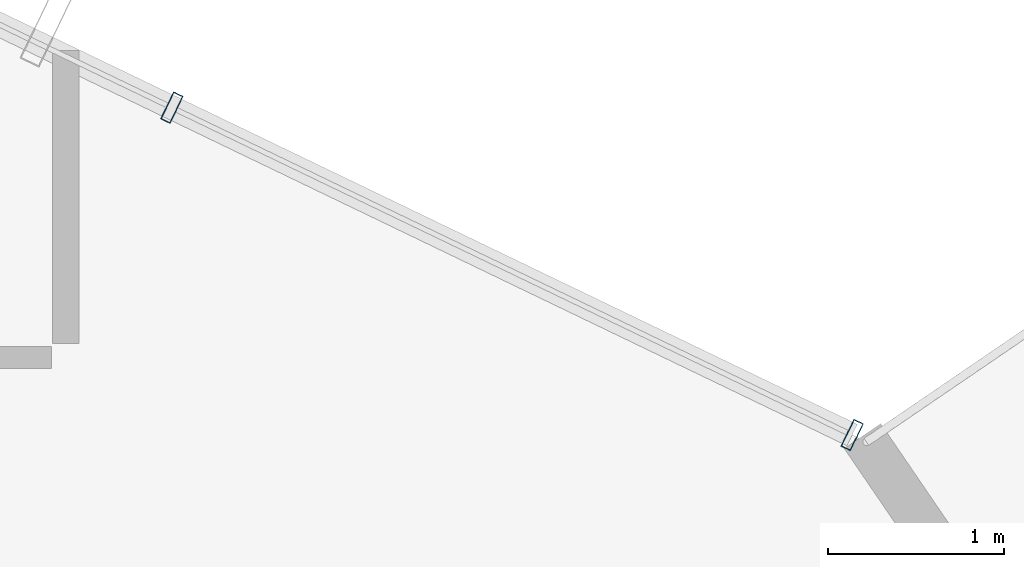
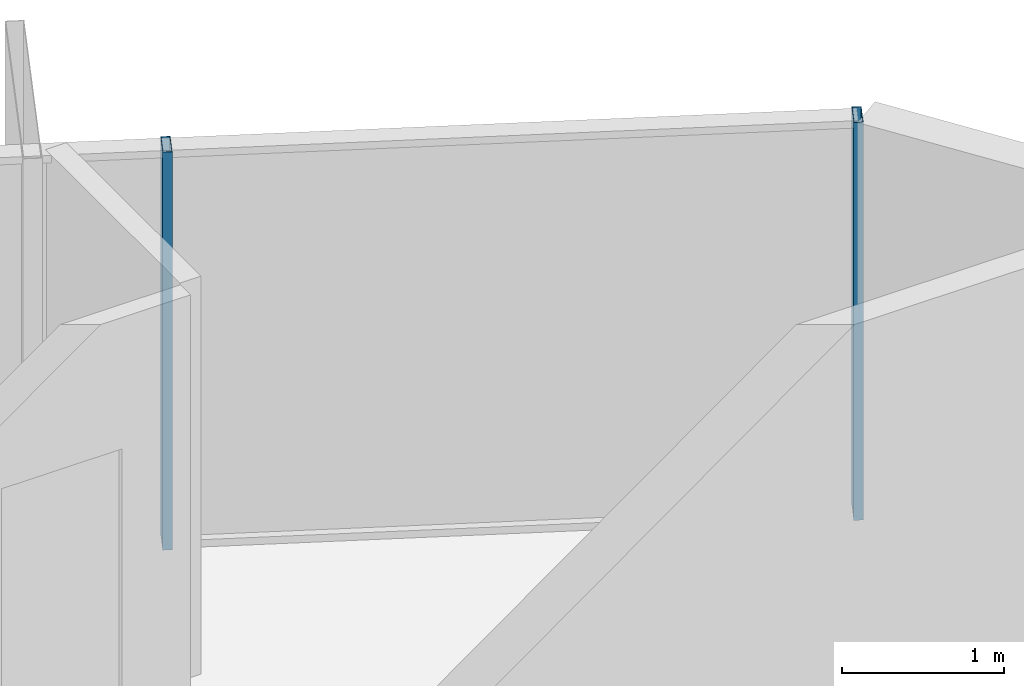
# One storey, part 28 of 35: 2 members, 1 element without a shape of its own.
"""IFC4 building model written with IfcOpenShell, lengths in metres."""

from ifc_helpers import new_model, si_unit, direction, frame, origin, origin_2d, place, context, subcontext, project, spatial, hollow_rectangle, extrude, source, transform, mapped, material, layer, layer_set, material_profile, profile_set, type_object, element, aggregate, save


model = new_model("IFC4")

# Units and contexts
model_context = context("Model", 3, precision=1e-05, world=origin(), true_north=direction((0.0, 1.0)))
body_context = subcontext(model_context, "Body", "Model", "MODEL_VIEW")
ifc_project = project(units=[si_unit("LENGTHUNIT", "METRE"), si_unit("AREAUNIT", "SQUARE_METRE"), si_unit("VOLUMEUNIT", "CUBIC_METRE"), si_unit("PLANEANGLEUNIT", "RADIAN"), si_unit("MASSUNIT", "GRAM", prefix="KILO")], contexts=[model_context])

# Site, building, storey
site_placement = place(None, origin())
site = spatial("IfcSite", under=ifc_project, at=site_placement, CompositionType="ELEMENT")
building_placement = place(site_placement, origin())
building = spatial("IfcBuilding", under=site, at=building_placement, Name="Veraguas Prism Commons", CompositionType="ELEMENT")
storey_placement = place(building_placement, frame((0.0, 0.0, 142.5)))
storey = spatial("IfcBuildingStorey", under=building, at=storey_placement, Name="L40", CompositionType="ELEMENT", Elevation=142.5)

# Curtain wall, members
ifc_material = material(Name="Anodised aluminium EN AW-6063 T6", Category="aluminium")
ifc_layer = layer(ifc_material, 0.169921875, Name="Unitised Flush Curtain Wall Zone 2", Category="aluminium")
ifc_layer_set = layer_set([ifc_layer], Name="Anodised aluminium EN AW-6063 T6")
curtain_wall_type = type_object("IfcCurtainWallType", Name="Unitised Flush Curtain Wall Zone 2", PredefinedType="NOTDEFINED", material=ifc_layer_set)
curtain_wall_placement = place(storey_placement, origin())
curtain_wall = element("IfcCurtainWall", 1, at=curtain_wall_placement, inside=storey, type_object=curtain_wall_type, Name="Tower Facade Curtain Wall L40-F1", PredefinedType="NOTDEFINED")
ifc_material_profile = material_profile(ifc_material, hollow_rectangle(XDim=0.06005859375, YDim=0.169921875, WallThickness=0.00390625, at=origin_2d()), Name="AL60X170X4")
ifc_profile_set = profile_set([ifc_material_profile], Name="Anodised aluminium EN AW-6063 T6")
member_type = type_object("IfcMemberType", Name="Curtain Wall Mullion Lower AL 60x170x4", PredefinedType="MULLION", material=ifc_profile_set)
shared_shape = source(origin(), body_context, "Body", "SweptSolid", [
    extrude(hollow_rectangle(XDim=0.06005859375, YDim=0.169921875, WallThickness=0.00390625, at=origin_2d()), origin(), (0.0, 0.0, 1.0), 3.0),
])
member_1_placement = place(storey_placement, frame((40.056396484375, 37.560791015625, 0.0), z_axis=(0.0, 0.0, 1.0), x_axis=(-0.901075507561, 0.433662229937, 0.0)))
member_1 = element("IfcMember", 2, at=member_1_placement, type_object=member_type, Name="CW-Z2 Mullion 1", PredefinedType="MULLION", context=body_context, shape_type="MappedRepresentation", body=[
    mapped(shared_shape, transform((0.0, 0.0, 0.0), scale=1.0)),
])
member_2_placement = place(storey_placement, frame((36.200927734375, 39.416259765625, 0.0), z_axis=(0.0, 0.0, 1.0), x_axis=(-0.901075507561, 0.433662229937, 0.0)))
member_2 = element("IfcMember", 3, at=member_2_placement, type_object=member_type, Name="CW-Z2 Mullion 2", PredefinedType="MULLION", context=body_context, shape_type="MappedRepresentation", body=[
    mapped(shared_shape, transform((0.0, 0.0, 0.0), scale=1.0)),
])
aggregate(curtain_wall, [member_1, member_2])

save(model, "model.ifc")
